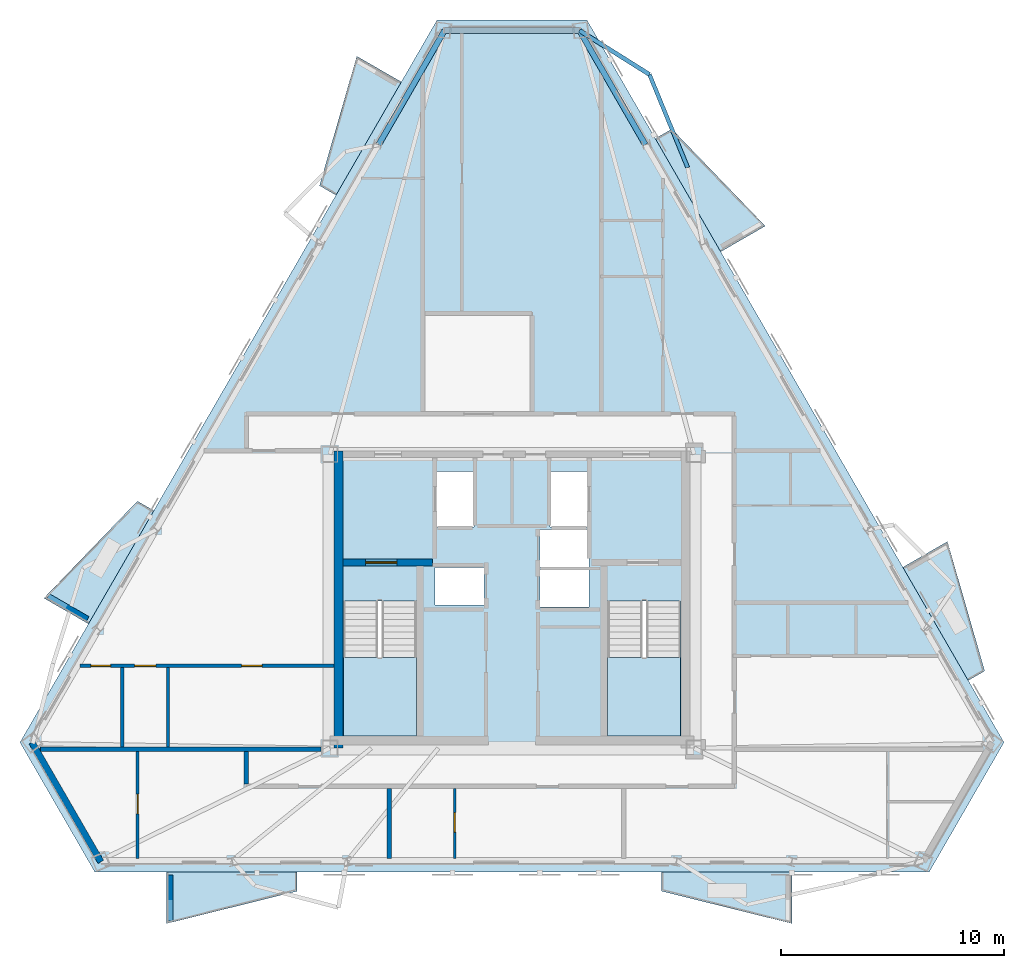
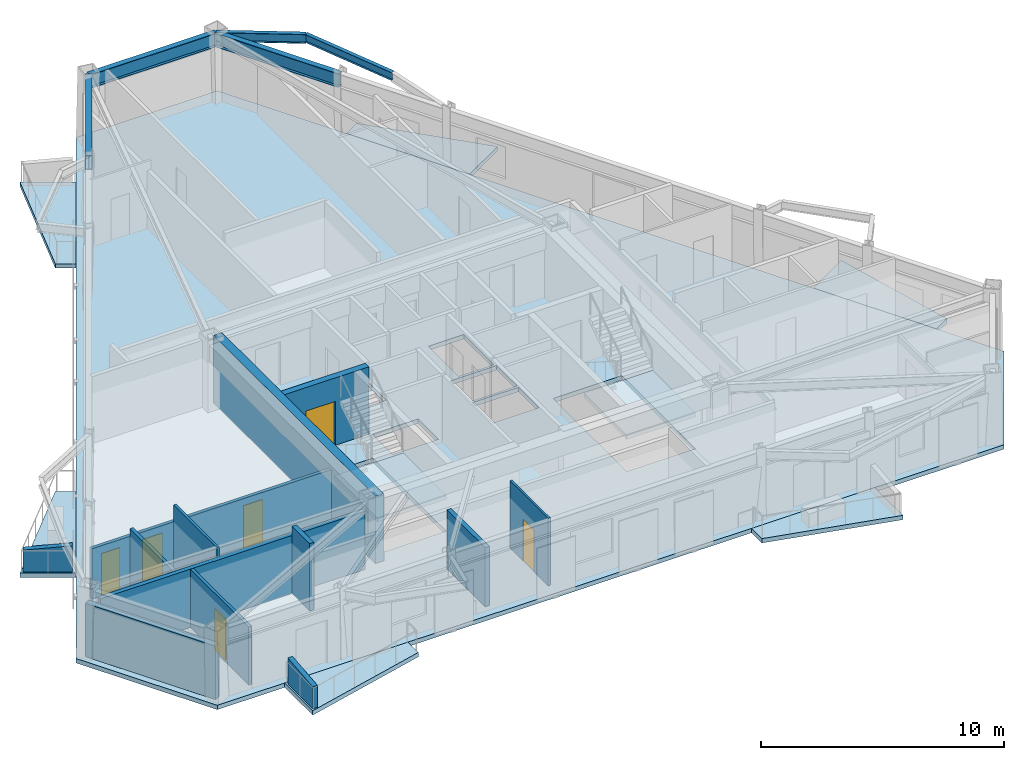
# One storey, part 2 of 9: 13 walls, 9 slabs, 6 doors, 5 beams, 6 openings, 2 elements without a shape of their own.
"""IFC4 building model written with IfcOpenShell, lengths in metres."""

from ifc_helpers import new_model, si_unit, direction, frame, frame_2d, origin, origin_2d, place, context, subcontext, project, spatial, polyline, rectangle, i_section, outline, extrude, material, layer, layer_set, material_profile, profile_set, type_object, element, fill, aggregate, save


model = new_model("IFC4")

# Units and contexts
model_context = context("Model", 3, precision=1e-05, world=origin(), true_north=direction((0.0, 1.0)))
body_context = subcontext(model_context, "Body", "Model", "MODEL_VIEW")
ifc_project = project(units=[si_unit("LENGTHUNIT", "METRE"), si_unit("AREAUNIT", "SQUARE_METRE"), si_unit("VOLUMEUNIT", "CUBIC_METRE"), si_unit("PLANEANGLEUNIT", "RADIAN"), si_unit("MASSUNIT", "GRAM", prefix="KILO")], contexts=[model_context])

# Site, building, storey
site_placement = place(None, origin())
site = spatial("IfcSite", under=ifc_project, at=site_placement, CompositionType="ELEMENT")
building_placement = place(site_placement, origin())
building = spatial("IfcBuilding", under=site, at=building_placement, Name="Oramaril Tower", CompositionType="ELEMENT")
storey_placement = place(building_placement, frame((0.0, 0.0, 230.699951171875)))
storey = spatial("IfcBuildingStorey", under=building, at=storey_placement, Name="L61", CompositionType="ELEMENT", Elevation=230.699951171875)

# Beams
ifc_material_1 = material(Name="Steel ASTM A572 Gr 50", Category="steel")
ifc_material_profile_1 = material_profile(ifc_material_1, i_section(OverallWidth=0.19091796875, OverallDepth=0.45703125, WebThickness=0.009033203125, FlangeThickness=0.014404296875, at=origin_2d()), Name="W18X50")
ifc_profile_set_1 = profile_set([ifc_material_profile_1], Name="Steel ASTM A572 Gr 50")
beam_type_1 = type_object("IfcBeamType", Name="BT-BB1", PredefinedType="BEAM", material=ifc_profile_set_1)
beam_1_placement = place(storey_placement, frame((40.517578125, 43.116455078125, 3.151611328125), z_axis=(0.846787701585, -0.531930999702, 0.0), x_axis=(0.531930999702, 0.846787701585, 0.0)))
element("IfcBeam", 1, at=beam_1_placement, inside=storey, type_object=beam_type_1, Name="L61 Balcony Column-Framed Cantilever 04.2", PredefinedType="BEAM", context=body_context, shape_type="SweptSolid", body=[
    extrude(i_section(OverallWidth=0.19091796875, OverallDepth=0.45703125, WebThickness=0.009033203125, FlangeThickness=0.014404296875, at=origin_2d()), origin(), (0.0, 0.0, 1.0), 3.7001953125),
])
ifc_material_2 = material(Name="Steel ASTM A572 Gr 50", Category="steel")
ifc_material_profile_2 = material_profile(ifc_material_2, i_section(OverallWidth=0.177978515625, OverallDepth=0.404052734375, WebThickness=0.007568359375, FlangeThickness=0.010986328125, at=origin_2d()), Name="W16X36")
ifc_profile_set_2 = profile_set([ifc_material_profile_2], Name="Steel ASTM A572 Gr 50")
beam_type_2 = type_object("IfcBeamType", Name="BT-SB1", PredefinedType="BEAM", material=ifc_profile_set_2)
beam_2_placement = place(storey_placement, frame((45.3603515625, 36.98486328125, 3.177978515625), z_axis=(-0.379830164168, 0.925056239581, 0.0), x_axis=(-0.925056239581, -0.379830164168, 0.0)))
element("IfcBeam", 2, at=beam_2_placement, inside=storey, type_object=beam_type_2, Name="L61 Balcony Edge Tie Beam 04", PredefinedType="BEAM", context=body_context, shape_type="SweptSolid", body=[
    extrude(i_section(OverallWidth=0.177978515625, OverallDepth=0.404052734375, WebThickness=0.007568359375, FlangeThickness=0.010986328125, at=origin_2d()), origin(), (0.0, 0.0, 1.0), 4.500732421875),
])
ifc_material_3 = material(Name="Steel ASTM A572 Gr 50", Category="steel")
ifc_material_profile_3 = material_profile(ifc_material_3, i_section(OverallWidth=0.257080078125, OverallDepth=0.693115234375, WebThickness=0.014404296875, FlangeThickness=0.023681640625, at=origin_2d()), Name="W27X114")
ifc_profile_set_3 = profile_set([ifc_material_profile_3], Name="Steel ASTM A572 Gr 50")
beam_type_3 = type_object("IfcBeamType", Name="BT-SP4", PredefinedType="SPANDREL", material=ifc_profile_set_3)
beam_3_placement = place(storey_placement, frame((43.465576171875, 38.010498046875, 3.033447265625), z_axis=(-0.500009207289, 0.866020087888, 0.0), x_axis=(-0.866020087888, -0.500009207289, 0.0)))
element("IfcBeam", 3, at=beam_3_placement, inside=storey, type_object=beam_type_3, Name="L61 Perimeter Spandrel 12", PredefinedType="SPANDREL", context=body_context, shape_type="SweptSolid", body=[
    extrude(i_section(OverallWidth=0.257080078125, OverallDepth=0.693115234375, WebThickness=0.014404296875, FlangeThickness=0.023681640625, at=origin_2d()), origin(), (0.0, 0.0, 1.0), 5.89599609375),
])
beam_4_placement = place(storey_placement, frame((40.517578125, 43.116455078125, 3.033447265625), z_axis=(-1.0, 0.0, 0.0), x_axis=(0.0, -1.0, 0.0)))
element("IfcBeam", 4, at=beam_4_placement, inside=storey, type_object=beam_type_3, Name="L61 Perimeter Spandrel 13", PredefinedType="SPANDREL", context=body_context, shape_type="SweptSolid", body=[
    extrude(i_section(OverallWidth=0.257080078125, OverallDepth=0.693115234375, WebThickness=0.014404296875, FlangeThickness=0.023681640625, at=origin_2d()), origin(), (0.0, 0.0, 1.0), 6.03515625),
])
beam_5_placement = place(storey_placement, frame((34.482421875, 43.116455078125, 3.033447265625), z_axis=(-0.500009207289, -0.866020087888, 0.0), x_axis=(0.866020087888, -0.500009207289, 0.0)))
element("IfcBeam", 5, at=beam_5_placement, inside=storey, type_object=beam_type_3, Name="L61 Perimeter Spandrel 14", PredefinedType="SPANDREL", context=body_context, shape_type="SweptSolid", body=[
    extrude(i_section(OverallWidth=0.257080078125, OverallDepth=0.693115234375, WebThickness=0.014404296875, FlangeThickness=0.023681640625, at=origin_2d()), origin(), (0.0, 0.0, 1.0), 5.89599609375),
])

# Slabs
ifc_material_4 = material(Name="Concrete C40/50", Category="concrete")
ifc_layer_1 = layer(ifc_material_4, 0.199951171875)
ifc_layer_set_1 = layer_set([ifc_layer_1], Name="SLT-BAL20")
slab_type_1 = type_object("IfcSlabType", Name="SLT-BAL20", PredefinedType="FLOOR", material=ifc_layer_set_1)
slab_1_placement = place(storey_placement, frame((0.0, 0.0, -0.219970703125)))
element("IfcSlab", 6, at=slab_1_placement, inside=storey, type_object=slab_type_1, Name="L61 Cantilevered Balcony Slab L61-BAL-S1", PredefinedType="FLOOR", context=body_context, shape_type="SweptSolid", body=[
    extrude(outline(polyline([(22.036865234375, 5.4560546875), (27.88671875, 5.4560546875), (27.88671875, 4.60400390625), (22.036865234375, 3.154052734375), (22.036865234375, 5.4560546875)])), origin(), (0.0, 0.0, 1.0), 0.219970703125),
])
slab_2_placement = place(storey_placement, frame((0.0, 0.0, -0.219970703125)))
element("IfcSlab", 7, at=slab_2_placement, inside=storey, type_object=slab_type_1, Name="L61 Cantilevered Balcony Slab L61-BAL-NE2", PredefinedType="FLOOR", context=body_context, shape_type="SweptSolid", body=[
    extrude(outline(polyline([(46.837890625, 33.214111328125), (43.912841796875, 38.2802734375), (44.650634765625, 38.706298828125), (48.83154296875, 34.364990234375), (46.837890625, 33.214111328125)])), origin(), (0.0, 0.0, 1.0), 0.219970703125),
])
slab_3_placement = place(storey_placement, frame((0.0, 0.0, -0.219970703125)))
element("IfcSlab", 8, at=slab_3_placement, inside=storey, type_object=slab_type_1, Name="L61 Cantilevered Balcony Slab L61-BAL-NW1", PredefinedType="FLOOR", context=body_context, shape_type="SweptSolid", body=[
    extrude(outline(polyline([(32.549560546875, 40.8134765625), (29.62451171875, 35.747314453125), (28.88671875, 36.173095703125), (30.555908203125, 41.96435546875), (32.549560546875, 40.8134765625)])), origin(), (0.0, 0.0, 1.0), 0.219970703125),
])
ifc_material_5 = material(Name="Concrete C50/60", Category="concrete")
ifc_layer_2 = layer(ifc_material_5, 0.219970703125)
ifc_layer_set_2 = layer_set([ifc_layer_2], Name="SLT-FLR22")
slab_type_2 = type_object("IfcSlabType", Name="SLT-FLR22", PredefinedType="FLOOR", material=ifc_layer_set_2)
slab_4_placement = place(storey_placement, frame((0.0, 0.0, -0.219970703125)))
element("IfcSlab", 9, at=slab_4_placement, inside=storey, type_object=slab_type_2, Name="L61 Structural Floor Slab", PredefinedType="FLOOR", context=body_context, shape_type="SweptSolid", body=[
    extrude(outline(polyline([(15.484619140625, 11.26025390625), (18.8369140625, 5.4541015625), (56.1630859375, 5.4541015625), (59.515380859375, 11.26025390625), (40.85205078125, 43.585693359375), (34.14794921875, 43.585693359375), (15.484619140625, 11.26025390625)]), holes=[polyline([(29.949951171875, 17.58935546875), (29.949951171875, 11.550048828125), (33.219970703125, 11.550048828125), (33.219970703125, 17.58935546875), (29.949951171875, 17.58935546875)]), polyline([(41.780029296875, 17.58935546875), (41.780029296875, 11.550048828125), (45.050048828125, 11.550048828125), (45.050048828125, 17.58935546875), (41.780029296875, 17.58935546875)]), polyline([(34.110107421875, 20.909912109375), (35.7900390625, 20.909912109375), (35.7900390625, 23.389892578125), (34.110107421875, 23.389892578125), (34.110107421875, 20.909912109375)]), polyline([(39.2099609375, 20.909912109375), (40.889892578125, 20.909912109375), (40.889892578125, 23.389892578125), (39.2099609375, 23.389892578125), (39.2099609375, 20.909912109375)]), polyline([(34.06005859375, 17.409912109375), (36.239990234375, 17.409912109375), (36.239990234375, 19.090087890625), (34.06005859375, 19.090087890625), (34.06005859375, 17.409912109375)]), polyline([(38.760009765625, 17.31005859375), (40.93994140625, 17.31005859375), (40.93994140625, 18.989990234375), (38.760009765625, 18.989990234375), (38.760009765625, 17.31005859375)]), polyline([(38.760009765625, 19.110107421875), (40.93994140625, 19.110107421875), (40.93994140625, 20.7900390625), (38.760009765625, 20.7900390625), (38.760009765625, 19.110107421875)])]), origin(), (0.0, 0.0, 1.0), 0.219970703125),
])

# Stair, slab
ifc_material_6 = material(Name="Concrete C50/60", Category="concrete")
stair_type = type_object("IfcStairType", Name="STT-DG-3600", PredefinedType="HALF_TURN_STAIR", material=ifc_material_6)
stair_1_placement = place(storey_placement, origin())
stair_1 = element("IfcStair", 10, at=stair_1_placement, inside=storey, type_object=stair_type, Name="L61 Protected PFP Exit Stair ST-1", PredefinedType="HALF_TURN_STAIR")
ifc_material_7 = material(Name="Concrete C50/60", Category="concrete")
ifc_layer_3 = layer(ifc_material_7, 0.199951171875)
ifc_layer_set_3 = layer_set([ifc_layer_3], Name="SLT-LND20")
slab_type_3 = type_object("IfcSlabType", Name="SLT-LND20", PredefinedType="LANDING", material=ifc_layer_set_3)
slab_5_placement = place(storey_placement, frame((0.0, 0.0, 1.60009765625)))
slab_5 = element("IfcSlab", 11, at=slab_5_placement, type_object=slab_type_3, Name="ST-1 landing 1", PredefinedType="LANDING", context=body_context, shape_type="SweptSolid", body=[
    extrude(outline(polyline([(29.949951171875, 15.070068359375), (29.949951171875, 11.550048828125), (33.219970703125, 11.550048828125), (33.219970703125, 15.070068359375), (29.949951171875, 15.070068359375)])), origin(), (0.0, 0.0, 1.0), 0.199951171875),
])
aggregate(stair_1, [slab_5])

stair_2_placement = place(storey_placement, origin())
stair_2 = element("IfcStair", 12, at=stair_2_placement, inside=storey, type_object=stair_type, Name="L61 Protected PFP Exit Stair ST-2", PredefinedType="HALF_TURN_STAIR")
slab_6_placement = place(storey_placement, frame((0.0, 0.0, 1.60009765625)))
slab_6 = element("IfcSlab", 13, at=slab_6_placement, type_object=slab_type_3, Name="ST-2 landing 1", PredefinedType="LANDING", context=body_context, shape_type="SweptSolid", body=[
    extrude(outline(polyline([(41.780029296875, 15.070068359375), (41.780029296875, 11.550048828125), (45.050048828125, 11.550048828125), (45.050048828125, 15.070068359375), (41.780029296875, 15.070068359375)])), origin(), (0.0, 0.0, 1.0), 0.199951171875),
])
aggregate(stair_2, [slab_6])

# Slabs
ifc_material_8 = material(Name="Concrete C40/50", Category="concrete")
ifc_layer_4 = layer(ifc_material_8, 0.18994140625)
ifc_layer_set_4 = layer_set([ifc_layer_4], Name="SLT-PLN19")
slab_type_4 = type_object("IfcSlabType", Name="SLT-PLN19", PredefinedType="FLOOR", material=ifc_layer_set_4)
slab_7_placement = place(storey_placement, frame((0.0, 0.0, -0.219970703125)))
element("IfcSlab", 14, at=slab_7_placement, inside=storey, type_object=slab_type_4, Name="L61 Tree Planter Balcony Slab L61-BAL-S2", PredefinedType="FLOOR", context=body_context, shape_type="SweptSolid", body=[
    extrude(outline(polyline([(44.188232421875, 5.4560546875), (50.0380859375, 5.4560546875), (50.0380859375, 3.154052734375), (44.188232421875, 4.60400390625), (44.188232421875, 5.4560546875)])), origin(), (0.0, 0.0, 1.0), 0.219970703125),
])
slab_8_placement = place(storey_placement, frame((0.0, 0.0, -0.219970703125)))
element("IfcSlab", 15, at=slab_8_placement, inside=storey, type_object=slab_type_4, Name="L61 Tree Planter Balcony Slab L61-BAL-NE1", PredefinedType="FLOOR", context=body_context, shape_type="SweptSolid", body=[
    extrude(outline(polyline([(57.91357421875, 14.030517578125), (54.988525390625, 19.0966796875), (56.982177734375, 20.247802734375), (58.6513671875, 14.45654296875), (57.91357421875, 14.030517578125)])), origin(), (0.0, 0.0, 1.0), 0.219970703125),
])
slab_9_placement = place(storey_placement, frame((0.0, 0.0, -0.219970703125)))
element("IfcSlab", 16, at=slab_9_placement, inside=storey, type_object=slab_type_4, Name="L61 Tree Planter Balcony Slab L61-BAL-NW2", PredefinedType="FLOOR", context=body_context, shape_type="SweptSolid", body=[
    extrude(outline(polyline([(21.473876953125, 21.6298828125), (18.548828125, 16.563720703125), (16.555419921875, 17.714599609375), (20.736083984375, 22.055908203125), (21.473876953125, 21.6298828125)])), origin(), (0.0, 0.0, 1.0), 0.219970703125),
])

# Walls
ifc_material_9 = material(Name="Warm Cream Limestone", Category="masonry")
ifc_layer_5 = layer(ifc_material_9, 0.2900390625)
ifc_layer_set_5 = layer_set([ifc_layer_5], Name="WT-EXT29")
wall_type_1 = type_object("IfcWallType", Name="WT-EXT29", PredefinedType="SOLIDWALL", material=ifc_layer_set_5)
wall_1_placement = place(storey_placement, frame((16.015869140625, 11.26025390625, 0.0), z_axis=(0.0, 0.0, 1.0), x_axis=(0.49997579017, -0.866039380885, 0.0)))
element("IfcWall", 17, at=wall_1_placement, inside=storey, type_object=wall_type_1, Name="L61 Tower Limestone Facade Wall 1M", PredefinedType="SOLIDWALL", context=body_context, shape_type="SweptSolid", body=[
    extrude(rectangle(XDim=6.173095703125, YDim=0.2900390625, at=frame_2d((3.08642578125, 0.0))), origin(), (0.0, 0.0, 1.0), 2.677001953125),
])
ifc_material_10 = material(Name="Concrete C40/50", Category="concrete")
ifc_layer_6 = layer(ifc_material_10, 0.22998046875)
ifc_layer_set_6 = layer_set([ifc_layer_6], Name="WT-PRP23")
wall_type_2 = type_object("IfcWallType", Name="WT-PRP23", PredefinedType="PARAPET", material=ifc_layer_set_6)
for number, where, z_axis, x_axis, name in (
    (18, (22.216796875, 5.316162109375, 0.0), (0.0, 0.0, 1.0), (0.0, -1.0, 0.0), "L61 Trapezoidal Balcony Frame Cheek L61-BAL-S1-L"),
    (19, (18.517578125, 16.78955078125, 0.0), (0.0, 0.0, 1.0), (-0.866012356593, 0.500022597718, 0.0), "L61 Trapezoidal Balcony Frame Cheek L61-BAL-NW2-R"),
):
    element("IfcWall", number, at=place(storey_placement, frame(where, z_axis=z_axis, x_axis=x_axis)), inside=storey, type_object=wall_type_2, Name=name, PredefinedType="PARAPET", context=body_context, shape_type="SweptSolid", body=[
        extrude(outline(polyline([(0.0, 0.0), (2.0419921875, 0.0), (2.0419921875, 1.10009765625), (0.0, 1.320068359375), (0.0, 0.0)])), frame((0.0, 0.114990234375, 0.0), z_axis=(0.0, -1.0, 0.0), x_axis=(1.0, 0.0, 0.0)), (0.0, 0.0, 1.0), 0.22998046875),
    ])

# Wall, opening, door
ifc_material_11 = material(Name="Acoustic Gypsum Board Partition")
ifc_layer_7 = layer(ifc_material_11, 0.10009765625)
ifc_layer_set_7 = layer_set([ifc_layer_7], Name="WT-PT10")
wall_type_3 = type_object("IfcWallType", Name="WT-PT10", PredefinedType="PARTITIONING", material=ifc_layer_set_7)
wall_2_placement = place(storey_placement, frame((34.93994140625, 6.06298828125, 0.0), z_axis=(0.0, 0.0, 1.0), x_axis=(0.0, 1.0, 0.0)))
wall_2 = element("IfcWall", 20, at=wall_2_placement, inside=storey, type_object=wall_type_3, Name="L61 Interior Partition PT-10", PredefinedType="PARTITIONING", context=body_context, shape_type="SweptSolid", body=[
    extrude(rectangle(XDim=3.133056640625, YDim=0.10009765625, at=frame_2d((1.56640625, 0.0))), origin(), (0.0, 0.0, 1.0), 3.380126953125),
])
opening_1_placement = place(wall_2_placement, frame((1.178955078125, 0.0, 0.0)))
opening_1 = element("IfcOpeningElement", 21, at=opening_1_placement, cuts=wall_2, Name="Opening D-L61-19", PredefinedType="OPENING", context=body_context, shape_type="SweptSolid", body=[
    extrude(rectangle(XDim=0.8798828125, YDim=2.080078125, at=frame_2d((0.43994140625, 1.0400390625))), frame((0.0, 0.050048828125, 0.0), z_axis=(0.0, -1.0, 0.0), x_axis=(1.0, 0.0, 0.0)), (0.0, 0.0, 1.0), 0.10009765625),
])
ifc_material_12 = material(Name="FSC Brazilian Freijo Hardwood", Category="wood")
door_type_1 = type_object("IfcDoorType", Name="DT-BATH", OperationType="NOTDEFINED", PredefinedType="DOOR", material=ifc_material_12)
door_1_placement = place(opening_1_placement, origin())
door_1 = element("IfcDoor", 22, at=door_1_placement, inside=storey, type_object=door_type_1, Name="L61 Flat L61-U2 Bathroom Door D-L61-19", OperationType="SINGLE_SWING_RIGHT", OverallHeight=2.080078125, OverallWidth=0.8798828125, PredefinedType="DOOR", context=body_context, shape_type="SweptSolid", body=[
    extrude(rectangle(XDim=0.8798828125, YDim=2.080078125, at=frame_2d((0.43994140625, 1.0400390625))), frame((0.0, 0.02490234375, 0.0), z_axis=(0.0, -1.0, 0.0), x_axis=(1.0, 0.0, 0.0)), (0.0, 0.0, 1.0), 0.050048828125),
])
fill(opening_1, door_1)

# Wall
ifc_material_13 = material(Name="Acoustic Gypsum Board Partition")
ifc_layer_8 = layer(ifc_material_13, 0.1201171875)
ifc_layer_set_8 = layer_set([ifc_layer_8], Name="WT-PT12")
wall_type_4 = type_object("IfcWallType", Name="WT-PT12", PredefinedType="PARTITIONING", material=ifc_layer_set_8)
wall_3_placement = place(storey_placement, frame((22.110107421875, 11.053955078125, 0.0), z_axis=(0.0, 0.0, 1.0), x_axis=(0.0, 1.0, 0.0)))
element("IfcWall", 23, at=wall_3_placement, inside=storey, type_object=wall_type_4, Name="L61 Interior Partition PT-12", PredefinedType="PARTITIONING", context=body_context, shape_type="SweptSolid", body=[
    extrude(rectangle(XDim=3.552001953125, YDim=0.1201171875, at=frame_2d((1.77587890625, 0.0))), origin(), (0.0, 0.0, 1.0), 3.380126953125),
])

# Wall, opening, door
ifc_material_14 = material(Name="Acoustic Gypsum Board Partition")
ifc_layer_9 = layer(ifc_material_14, 0.139892578125)
ifc_layer_set_9 = layer_set([ifc_layer_9], Name="WT-PT14")
wall_type_5 = type_object("IfcWallType", Name="WT-PT14", PredefinedType="PARTITIONING", material=ifc_layer_set_9)
wall_4_placement = place(storey_placement, frame((20.75, 6.06298828125, 0.0), z_axis=(0.0, 0.0, 1.0), x_axis=(0.0, 1.0, 0.0)))
wall_4 = element("IfcWall", 24, at=wall_4_placement, inside=storey, type_object=wall_type_5, Name="L61 Interior Partition PT-14", PredefinedType="PARTITIONING", context=body_context, shape_type="SweptSolid", body=[
    extrude(rectangle(XDim=4.782958984375, YDim=0.139892578125, at=frame_2d((2.3916015625, 0.0))), origin(), (0.0, 0.0, 1.0), 2.9130859375),
])
opening_2_placement = place(wall_4_placement, frame((2.00390625, 0.0, 0.0)))
opening_2 = element("IfcOpeningElement", 25, at=opening_2_placement, cuts=wall_4, Name="Opening D-L61-18", PredefinedType="OPENING", context=body_context, shape_type="SweptSolid", body=[
    extrude(rectangle(XDim=0.8798828125, YDim=2.080078125, at=frame_2d((0.43994140625, 1.0400390625))), frame((0.0, 0.06982421875, 0.0), z_axis=(0.0, -1.0, 0.0), x_axis=(1.0, 0.0, 0.0)), (0.0, 0.0, 1.0), 0.139892578125),
])
door_2_placement = place(opening_2_placement, origin())
door_2 = element("IfcDoor", 26, at=door_2_placement, inside=storey, type_object=door_type_1, Name="L61 Flat L61-U1 Bathroom Door D-L61-18", OperationType="SINGLE_SWING_LEFT", OverallHeight=2.080078125, OverallWidth=0.8798828125, PredefinedType="DOOR", context=body_context, shape_type="SweptSolid", body=[
    extrude(rectangle(XDim=0.8798828125, YDim=2.080078125, at=frame_2d((0.43994140625, 1.0400390625))), frame((0.0, 0.02490234375, 0.0), z_axis=(0.0, -1.0, 0.0), x_axis=(1.0, 0.0, 0.0)), (0.0, 0.0, 1.0), 0.050048828125),
])
fill(opening_2, door_2)

# Wall, openings, doors
ifc_material_15 = material(Name="Acoustic Gypsum Board Partition")
ifc_layer_10 = layer(ifc_material_15, 0.159912109375)
ifc_layer_set_10 = layer_set([ifc_layer_10], Name="WT-PT16")
wall_type_6 = type_object("IfcWallType", Name="WT-PT16", PredefinedType="PARTITIONING", material=ifc_layer_set_10)
wall_5_placement = place(storey_placement, frame((18.168212890625, 14.68994140625, 0.0), z_axis=(0.0, 0.0, 1.0), x_axis=(1.0, 0.0, 0.0)))
wall_5 = element("IfcWall", 27, at=wall_5_placement, inside=storey, type_object=wall_type_6, Name="L61 Interior Partition PT-16", PredefinedType="PARTITIONING", context=body_context, shape_type="SweptSolid", body=[
    extrude(rectangle(XDim=11.36767578125, YDim=0.159912109375, at=frame_2d((5.683837890625, 0.0))), origin(), (0.0, 0.0, 1.0), 2.52001953125),
])
opening_3_placement = place(wall_5_placement, frame((0.4931640625, 0.0, 0.0)))
opening_3 = element("IfcOpeningElement", 28, at=opening_3_placement, cuts=wall_5, Name="Opening D-L61-04", PredefinedType="OPENING", context=body_context, shape_type="SweptSolid", body=[
    extrude(rectangle(XDim=0.8798828125, YDim=2.080078125, at=frame_2d((0.43994140625, 1.0400390625))), frame((0.0, 0.080078125, 0.0), z_axis=(0.0, -1.0, 0.0), x_axis=(1.0, 0.0, 0.0)), (0.0, 0.0, 1.0), 0.159912109375),
])
opening_4_placement = place(wall_5_placement, frame((2.443115234375, 0.0, 0.0)))
opening_4 = element("IfcOpeningElement", 29, at=opening_4_placement, cuts=wall_5, Name="Opening D-L61-05", PredefinedType="OPENING", context=body_context, shape_type="SweptSolid", body=[
    extrude(rectangle(XDim=0.949951171875, YDim=2.10009765625, at=frame_2d((0.47509765625, 1.050048828125))), frame((0.0, 0.080078125, 0.0), z_axis=(0.0, -1.0, 0.0), x_axis=(1.0, 0.0, 0.0)), (0.0, 0.0, 1.0), 0.159912109375),
])
opening_5_placement = place(wall_5_placement, frame((7.232421875, 0.0, 0.0)))
opening_5 = element("IfcOpeningElement", 30, at=opening_5_placement, cuts=wall_5, Name="Opening D-L61-06", PredefinedType="OPENING", context=body_context, shape_type="SweptSolid", body=[
    extrude(rectangle(XDim=0.919921875, YDim=2.1201171875, at=frame_2d((0.4599609375, 1.06005859375))), frame((0.0, 0.080078125, 0.0), z_axis=(0.0, -1.0, 0.0), x_axis=(1.0, 0.0, 0.0)), (0.0, 0.0, 1.0), 0.159912109375),
])
door_3_placement = place(opening_3_placement, origin())
door_3 = element("IfcDoor", 31, at=door_3_placement, inside=storey, type_object=door_type_1, Name="L61 Flat L61-U4 Bathroom Door D-L61-04", OperationType="SINGLE_SWING_LEFT", OverallHeight=2.080078125, OverallWidth=0.8798828125, PredefinedType="DOOR", context=body_context, shape_type="SweptSolid", body=[
    extrude(rectangle(XDim=0.8798828125, YDim=2.080078125, at=frame_2d((0.43994140625, 1.0400390625))), frame((0.0, 0.02490234375, 0.0), z_axis=(0.0, -1.0, 0.0), x_axis=(1.0, 0.0, 0.0)), (0.0, 0.0, 1.0), 0.050048828125),
])
fill(opening_3, door_3)
ifc_material_16 = material(Name="FSC Brazilian Freijo Hardwood", Category="wood")
door_type_2 = type_object("IfcDoorType", Name="DT-BED", OperationType="NOTDEFINED", PredefinedType="DOOR", material=ifc_material_16)
door_4_placement = place(opening_5_placement, origin())
door_4 = element("IfcDoor", 32, at=door_4_placement, inside=storey, type_object=door_type_2, Name="L61 Flat L61-U4 Master Bedroom Door D-L61-06", OperationType="SINGLE_SWING_LEFT", OverallHeight=2.1201171875, OverallWidth=0.919921875, PredefinedType="DOOR", context=body_context, shape_type="SweptSolid", body=[
    extrude(rectangle(XDim=0.919921875, YDim=2.1201171875, at=frame_2d((0.4599609375, 1.06005859375))), frame((0.0, 0.02490234375, 0.0), z_axis=(0.0, -1.0, 0.0), x_axis=(1.0, 0.0, 0.0)), (0.0, 0.0, 1.0), 0.050048828125),
])
fill(opening_5, door_4)
ifc_material_17 = material(Name="FSC Brazilian Freijo Hardwood", Category="wood")
door_type_3 = type_object("IfcDoorType", Name="DT-STDY", OperationType="NOTDEFINED", PredefinedType="DOOR", material=ifc_material_17)
door_5_placement = place(opening_4_placement, origin())
door_5 = element("IfcDoor", 33, at=door_5_placement, inside=storey, type_object=door_type_3, Name="L61 Flat L61-U4 Kitchen Door D-L61-05", OperationType="SINGLE_SWING_RIGHT", OverallHeight=2.10009765625, OverallWidth=0.949951171875, PredefinedType="DOOR", context=body_context, shape_type="SweptSolid", body=[
    extrude(rectangle(XDim=0.949951171875, YDim=2.10009765625, at=frame_2d((0.47509765625, 1.050048828125))), frame((0.0, 0.02490234375, 0.0), z_axis=(0.0, -1.0, 0.0), x_axis=(1.0, 0.0, 0.0)), (0.0, 0.0, 1.0), 0.050048828125),
])
fill(opening_4, door_5)

# Walls
wall_6_placement = place(storey_placement, frame((20.06005859375, 11.053955078125, 0.0), z_axis=(0.0, 0.0, 1.0), x_axis=(0.0, 1.0, 0.0)))
element("IfcWall", 34, at=wall_6_placement, inside=storey, type_object=wall_type_6, Name="L61 Interior Partition PT-16", PredefinedType="PARTITIONING", context=body_context, shape_type="SweptSolid", body=[
    extrude(rectangle(XDim=3.552001953125, YDim=0.159912109375, at=frame_2d((1.77587890625, 0.0))), origin(), (0.0, 0.0, 1.0), 2.9130859375),
])
ifc_material_18 = material(Name="Autoclaved Cellular Concrete Block", Category="concrete")
ifc_layer_11 = layer(ifc_material_18, 0.199951171875)
ifc_layer_set_11 = layer_set([ifc_layer_11], Name="WT-PT20")
wall_type_7 = type_object("IfcWallType", Name="WT-PT20", PredefinedType="PARTITIONING", material=ifc_layer_set_11)
wall_7_placement = place(storey_placement, frame((16.402099609375, 10.949951171875, 0.0), z_axis=(0.0, 0.0, 1.0), x_axis=(1.0, 0.0, 0.0)))
element("IfcWall", 35, at=wall_7_placement, inside=storey, type_object=wall_type_7, Name="L61 Interior Partition PT-20", PredefinedType="PARTITIONING", context=body_context, shape_type="SweptSolid", body=[
    extrude(rectangle(XDim=12.557861328125, YDim=0.199951171875, at=frame_2d((6.27880859375, 0.0))), origin(), (0.0, 0.0, 1.0), 2.9130859375),
])
wall_8_placement = place(storey_placement, frame((25.60009765625, 9.404052734375, 0.0), z_axis=(0.0, 0.0, 1.0), x_axis=(0.0, 1.0, 0.0)))
element("IfcWall", 36, at=wall_8_placement, inside=storey, type_object=wall_type_7, Name="L61 Interior Partition PT-20", PredefinedType="PARTITIONING", context=body_context, shape_type="SweptSolid", body=[
    extrude(rectangle(XDim=1.44189453125, YDim=0.199951171875, at=frame_2d((0.720947265625, 0.0))), origin(), (0.0, 0.0, 1.0), 3.380126953125),
])
wall_9_placement = place(storey_placement, frame((32.0, 6.06298828125, 0.0), z_axis=(0.0, 0.0, 1.0), x_axis=(0.0, 1.0, 0.0)))
element("IfcWall", 37, at=wall_9_placement, inside=storey, type_object=wall_type_7, Name="L61 Interior Partition PT-20", PredefinedType="PARTITIONING", context=body_context, shape_type="SweptSolid", body=[
    extrude(rectangle(XDim=3.133056640625, YDim=0.199951171875, at=frame_2d((1.56640625, 0.0))), origin(), (0.0, 0.0, 1.0), 2.966064453125),
])

# Wall, opening, door
ifc_material_19 = material(Name="Concrete C50/60", Category="concrete")
ifc_layer_12 = layer(ifc_material_19, 0.300048828125)
ifc_layer_set_12 = layer_set([ifc_layer_12], Name="WT-SH30")
wall_type_8 = type_object("IfcWallType", Name="WT-SH30", PredefinedType="SHEAR", material=ifc_layer_set_12)
wall_10_placement = place(storey_placement, frame((29.93994140625, 19.31005859375, 0.0), z_axis=(0.0, 0.0, 1.0), x_axis=(1.0, 0.0, 0.0)))
wall_10 = element("IfcWall", 38, at=wall_10_placement, inside=storey, type_object=wall_type_8, Name="L61 Core Shear Wall CW-ST1N", PredefinedType="SHEAR", context=body_context, shape_type="SweptSolid", body=[
    extrude(rectangle(XDim=4.010009765625, YDim=0.300048828125, at=frame_2d((2.0048828125, 0.0))), origin(), (0.0, 0.0, 1.0), 3.380126953125),
])
opening_6_placement = place(wall_10_placement, frame((1.010009765625, 0.0, 0.0)))
opening_6 = element("IfcOpeningElement", 39, at=opening_6_placement, cuts=wall_10, Name="Opening D-L61-ST1", PredefinedType="OPENING", context=body_context, shape_type="SweptSolid", body=[
    extrude(rectangle(XDim=1.39990234375, YDim=2.199951171875, at=frame_2d((0.699951171875, 1.10009765625))), frame((0.0, 0.14990234375, 0.0), z_axis=(0.0, -1.0, 0.0), x_axis=(1.0, 0.0, 0.0)), (0.0, 0.0, 1.0), 0.300048828125),
])
ifc_material_20 = material(Name="Painted Galvanised Steel", Category="steel")
door_type_4 = type_object("IfcDoorType", Name="DT-ST", OperationType="NOTDEFINED", PredefinedType="DOOR", material=ifc_material_20)
door_6_placement = place(opening_6_placement, origin())
door_6 = element("IfcDoor", 40, at=door_6_placement, inside=storey, type_object=door_type_4, Name="L61 Protected Stair ST-1 Fire Door", OperationType="SINGLE_SWING_LEFT", OverallHeight=2.199951171875, OverallWidth=1.39990234375, PredefinedType="DOOR", context=body_context, shape_type="SweptSolid", body=[
    extrude(rectangle(XDim=1.39990234375, YDim=2.199951171875, at=frame_2d((0.699951171875, 1.10009765625))), frame((0.0, 0.02490234375, 0.0), z_axis=(0.0, -1.0, 0.0), x_axis=(1.0, 0.0, 0.0)), (0.0, 0.0, 1.0), 0.050048828125),
])
fill(opening_6, door_6)

# Wall
ifc_material_21 = material(Name="Concrete C50/60", Category="concrete")
ifc_layer_13 = layer(ifc_material_21, 0.39990234375)
ifc_layer_set_13 = layer_set([ifc_layer_13], Name="WT-SH40")
wall_type_9 = type_object("IfcWallType", Name="WT-SH40", PredefinedType="SHEAR", material=ifc_layer_set_13)
wall_11_placement = place(storey_placement, frame((29.739990234375, 11.0, 0.0), z_axis=(0.0, 0.0, 1.0), x_axis=(0.0, 1.0, 0.0)))
element("IfcWall", 41, at=wall_11_placement, inside=storey, type_object=wall_type_9, Name="L61 Core Shear Wall CW-W", PredefinedType="SHEAR", context=body_context, shape_type="SweptSolid", body=[
    extrude(rectangle(XDim=13.300048828125, YDim=0.39990234375, at=frame_2d((6.64990234375, 0.0))), origin(), (0.0, 0.0, 1.0), 3.380126953125),
])

save(model, "model.ifc")
